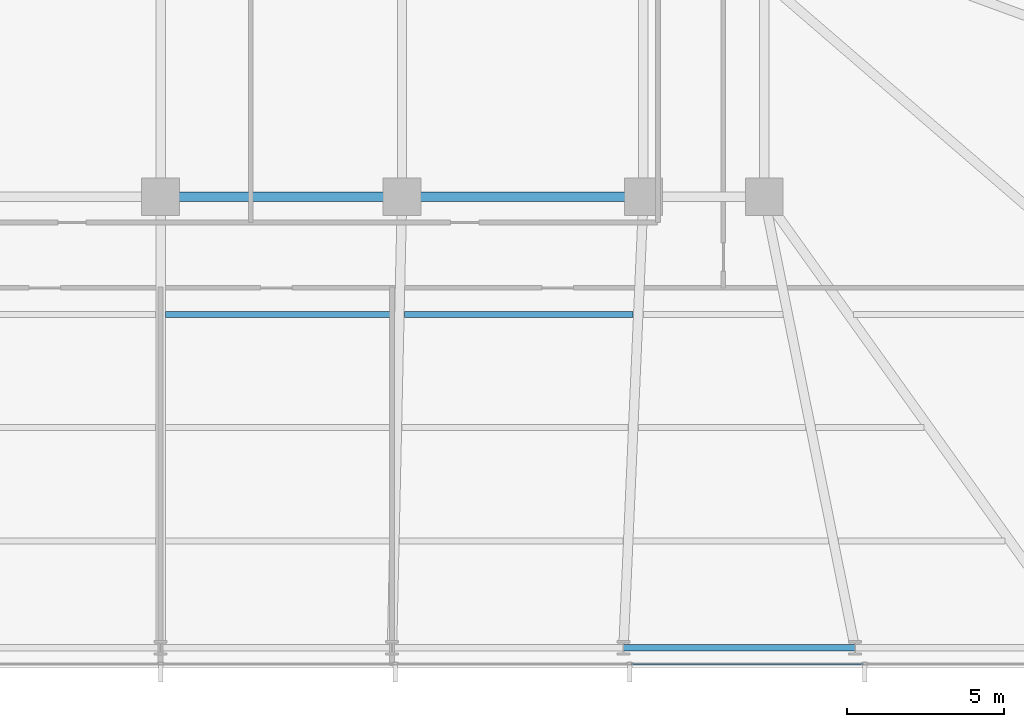
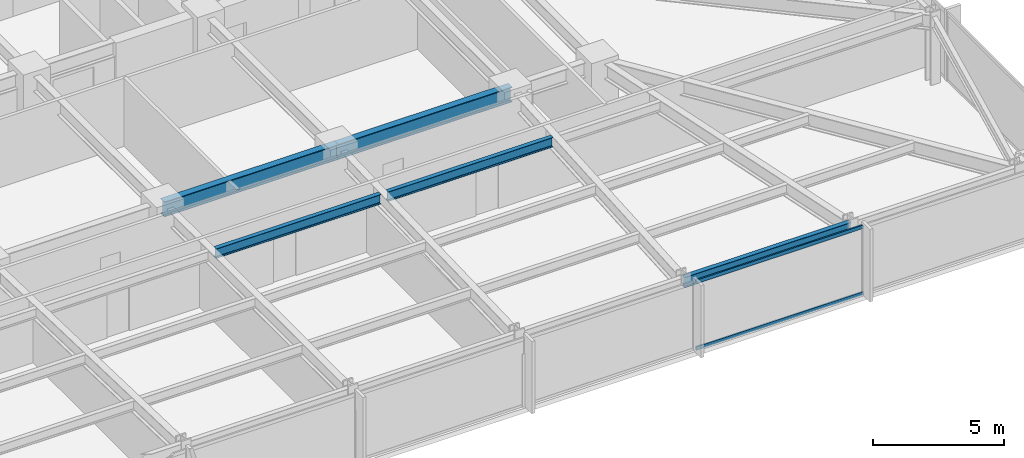
# One storey, part 13 of 32: 5 beams, 2 members, 1 element without a shape of its own.
"""IFC4 building model written with IfcOpenShell, lengths in metres."""

from ifc_helpers import new_model, si_unit, direction, frame, origin, origin_2d, place, context, subcontext, project, spatial, hollow_rectangle, i_section, extrude, material, material_profile, profile_set, type_object, element, aggregate, save


model = new_model("IFC4")

# Units and contexts
model_context = context("Model", 3, precision=1e-05, world=origin(), true_north=direction((0.0, 1.0)))
body_context = subcontext(model_context, "Body", "Model", "MODEL_VIEW")
ifc_project = project(units=[si_unit("LENGTHUNIT", "METRE"), si_unit("AREAUNIT", "SQUARE_METRE"), si_unit("VOLUMEUNIT", "CUBIC_METRE"), si_unit("PLANEANGLEUNIT", "RADIAN"), si_unit("MASSUNIT", "GRAM", prefix="KILO")], contexts=[model_context])

# Site, building, storey
site_placement = place(None, origin())
site = spatial("IfcSite", under=ifc_project, at=site_placement, CompositionType="ELEMENT")
building_placement = place(site_placement, origin())
building = spatial("IfcBuilding", under=site, at=building_placement, Name="Yelkora Congress Tower", CompositionType="ELEMENT")
storey_placement = place(building_placement, frame((0.0, 0.0, 50.800048828125)))
storey = spatial("IfcBuildingStorey", under=building, at=storey_placement, Name="L12", CompositionType="ELEMENT", Elevation=50.800048828125)

# Beams
ifc_material_1 = material(Name="Steel S355J2", Category="steel")
ifc_material_profile_1 = material_profile(ifc_material_1, i_section(OverallWidth=0.300048828125, OverallDepth=0.699951171875, WebThickness=0.01708984375, FlangeThickness=0.031982421875, FilletRadius=0.027099609375, at=origin_2d()), Name="HEB 700")
ifc_profile_set_1 = profile_set([ifc_material_profile_1], Name="Steel S355J2")
beam_type_1 = type_object("IfcBeamType", Name="BM-GIRD-HEB700", PredefinedType="BEAM", material=ifc_profile_set_1)
beam_1_placement = place(storey_placement, frame((38.39990234375, 25.199951171875, 2.829833984375), z_axis=(1.0, 0.0, 0.0), x_axis=(0.0, 1.0, 0.0)))
element("IfcBeam", 1, at=beam_1_placement, inside=storey, type_object=beam_type_1, Name="L12 Spine Grid D Girder 4", PredefinedType="BEAM", context=body_context, shape_type="SweptSolid", body=[
    extrude(i_section(OverallWidth=0.300048828125, OverallDepth=0.699951171875, WebThickness=0.01708984375, FlangeThickness=0.031982421875, FilletRadius=0.027099609375, at=origin_2d()), origin(), (0.0, 0.0, 1.0), 7.68017578125),
])
beam_2_placement = place(storey_placement, frame((46.080078125, 25.199951171875, 2.829833984375), z_axis=(1.0, 0.0, 0.0), x_axis=(0.0, 1.0, 0.0)))
element("IfcBeam", 2, at=beam_2_placement, inside=storey, type_object=beam_type_1, Name="L12 Spine Grid D Girder 5", PredefinedType="BEAM", context=body_context, shape_type="SweptSolid", body=[
    extrude(i_section(OverallWidth=0.300048828125, OverallDepth=0.699951171875, WebThickness=0.01708984375, FlangeThickness=0.031982421875, FilletRadius=0.027099609375, at=origin_2d()), origin(), (0.0, 0.0, 1.0), 7.679931640625),
])
ifc_material_profile_2 = material_profile(ifc_material_1, i_section(OverallWidth=0.18994140625, OverallDepth=0.449951171875, WebThickness=0.009521484375, FlangeThickness=0.0146484375, FilletRadius=0.02099609375, at=origin_2d()), Name="IPE 450")
ifc_profile_set_2 = profile_set([ifc_material_profile_2], Name="Steel S355J2")
beam_type_2 = type_object("IfcBeamType", Name="BM-JOIST-IPE450", PredefinedType="JOIST", material=ifc_profile_set_2)
beam_3_placement = place(storey_placement, frame((38.56005859375, 21.449951171875, 2.954833984375), z_axis=(1.0, 0.0, 0.0), x_axis=(0.0, 1.0, 0.0)))
element("IfcBeam", 3, at=beam_3_placement, inside=storey, type_object=beam_type_2, Name="L12 Composite Floor Joist 20", PredefinedType="JOIST", context=body_context, shape_type="SweptSolid", body=[
    extrude(i_section(OverallWidth=0.18994140625, OverallDepth=0.449951171875, WebThickness=0.009521484375, FlangeThickness=0.0146484375, FilletRadius=0.02099609375, at=origin_2d()), origin(), (0.0, 0.0, 1.0), 7.27685546875),
])
beam_4_placement = place(storey_placement, frame((46.156982421875, 21.449951171875, 2.954833984375), z_axis=(1.0, 0.0, 0.0), x_axis=(0.0, 1.0, 0.0)))
element("IfcBeam", 4, at=beam_4_placement, inside=storey, type_object=beam_type_2, Name="L12 Composite Floor Joist 21", PredefinedType="JOIST", context=body_context, shape_type="SweptSolid", body=[
    extrude(i_section(OverallWidth=0.18994140625, OverallDepth=0.449951171875, WebThickness=0.009521484375, FlangeThickness=0.0146484375, FilletRadius=0.02099609375, at=origin_2d()), origin(), (0.0, 0.0, 1.0), 7.277099609375),
])
ifc_material_profile_3 = material_profile(ifc_material_1, i_section(OverallWidth=0.199951171875, OverallDepth=0.5, WebThickness=0.01025390625, FlangeThickness=0.01611328125, FilletRadius=0.02099609375, at=origin_2d()), Name="IPE 500")
ifc_profile_set_3 = profile_set([ifc_material_profile_3], Name="Steel S355J2")
beam_type_3 = type_object("IfcBeamType", Name="BM-SPAN-IPE500", PredefinedType="SPANDREL", material=ifc_profile_set_3)
beam_5_placement = place(storey_placement, frame((53.125, 10.85009765625, 2.929931640625), z_axis=(1.0, 0.0, 0.0), x_axis=(0.0, 1.0, 0.0)))
element("IfcBeam", 5, at=beam_5_placement, inside=storey, type_object=beam_type_3, Name="L12 Perimeter Beam 8", PredefinedType="SPANDREL", context=body_context, shape_type="SweptSolid", body=[
    extrude(i_section(OverallWidth=0.199951171875, OverallDepth=0.5, WebThickness=0.01025390625, FlangeThickness=0.01611328125, FilletRadius=0.02099609375, at=origin_2d()), origin(), (0.0, 0.0, 1.0), 7.362548828125),
])

# Curtain wall, members
ifc_material_2 = material(Name="Anodised aluminium and insulated glass", Category="aluminium")
curtain_wall_type = type_object("IfcCurtainWallType", Name="CW-SYS-B1", PredefinedType="NOTDEFINED", material=ifc_material_2)
curtain_wall_placement = place(storey_placement, origin())
curtain_wall = element("IfcCurtainWall", 6, at=curtain_wall_placement, inside=storey, type_object=curtain_wall_type, Name="L12 Unitised Curtain Wall 20", PredefinedType="NOTDEFINED")
ifc_material_3 = material(Name="Anodised aluminium 6063-T6", Category="aluminium")
ifc_material_profile_4 = material_profile(ifc_material_3, hollow_rectangle(XDim=0.06494140625, YDim=0.159912109375, WallThickness=0.00390625, at=origin_2d()), Name="ALU 65x160x4")
ifc_profile_set_4 = profile_set([ifc_material_profile_4], Name="Anodised aluminium 6063-T6")
member_type = type_object("IfcMemberType", Name="MEM-TR-B1", PredefinedType="USERDEFINED", material=ifc_profile_set_4)
member_1_placement = place(storey_placement, frame((60.757568359375, 10.340087890625, 0.032470703125), z_axis=(-1.0, 0.0, 0.0), x_axis=(0.0, -1.0, 0.0)))
member_1 = element("IfcMember", 7, at=member_1_placement, type_object=member_type, Name="CW-B1 transom 2.1", ObjectType="TRANSOM", PredefinedType="USERDEFINED", context=body_context, shape_type="SweptSolid", body=[
    extrude(hollow_rectangle(XDim=0.06494140625, YDim=0.159912109375, WallThickness=0.00390625, at=origin_2d()), origin(), (0.0, 0.0, 1.0), 7.39013671875),
])
member_2_placement = place(storey_placement, frame((60.757568359375, 10.340087890625, 3.1474609375), z_axis=(-1.0, 0.0, 0.0), x_axis=(0.0, -1.0, 0.0)))
member_2 = element("IfcMember", 8, at=member_2_placement, type_object=member_type, Name="CW-B1 transom 2.2", ObjectType="TRANSOM", PredefinedType="USERDEFINED", context=body_context, shape_type="SweptSolid", body=[
    extrude(hollow_rectangle(XDim=0.06494140625, YDim=0.159912109375, WallThickness=0.00390625, at=origin_2d()), origin(), (0.0, 0.0, 1.0), 7.39013671875),
])
aggregate(curtain_wall, [member_1, member_2])

save(model, "model.ifc")
